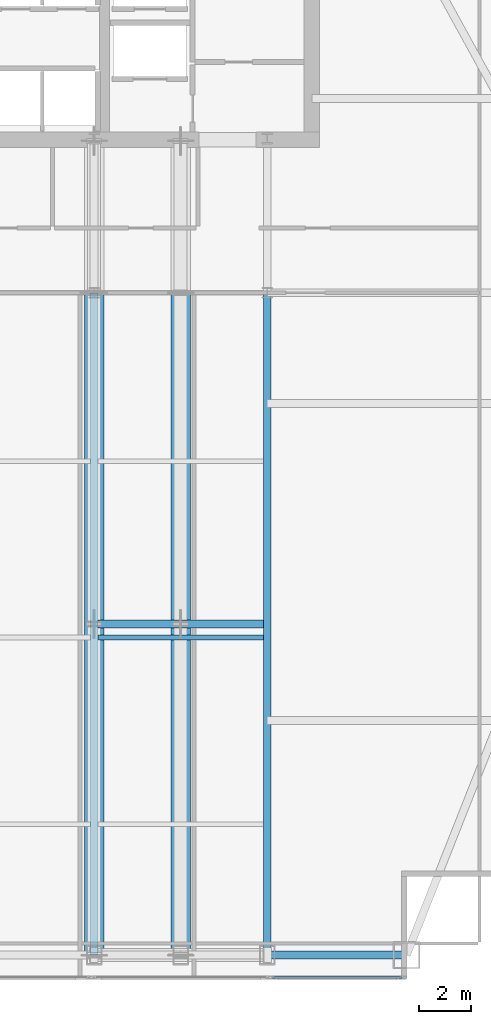
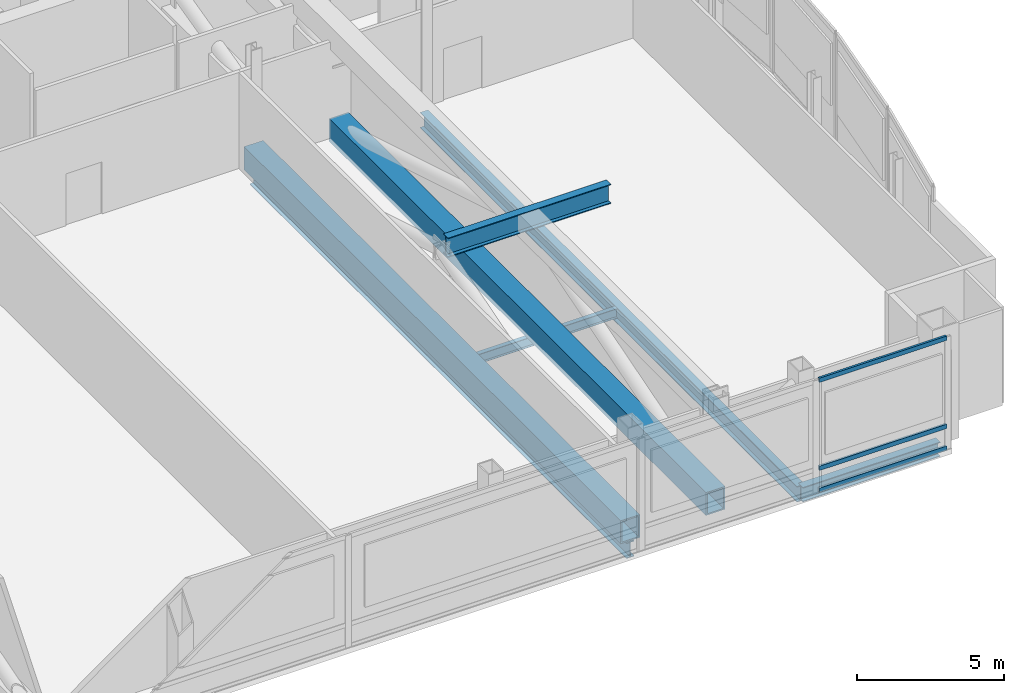
# One storey, part 17 of 32: 5 beams, 5 members, 1 element without a shape of its own.
"""IFC4 building model written with IfcOpenShell, lengths in metres."""

from ifc_helpers import new_model, si_unit, direction, frame, origin, origin_2d, place, context, subcontext, project, spatial, hollow_rectangle, i_section, extrude, material, material_profile, profile_set, type_object, element, aggregate, save


model = new_model("IFC4")

# Units and contexts
model_context = context("Model", 3, precision=1e-05, world=origin(), true_north=direction((0.0, 1.0)))
body_context = subcontext(model_context, "Body", "Model", "MODEL_VIEW")
ifc_project = project(units=[si_unit("LENGTHUNIT", "METRE"), si_unit("AREAUNIT", "SQUARE_METRE"), si_unit("VOLUMEUNIT", "CUBIC_METRE"), si_unit("PLANEANGLEUNIT", "RADIAN"), si_unit("MASSUNIT", "GRAM", prefix="KILO")], contexts=[model_context])

# Site, building, storey
site_placement = place(None, origin())
site = spatial("IfcSite", under=ifc_project, at=site_placement, CompositionType="ELEMENT")
building_placement = place(site_placement, origin())
building = spatial("IfcBuilding", under=site, at=building_placement, Name="Khoronbel Lancet Exchange", CompositionType="ELEMENT")
storey_placement = place(building_placement, frame((0.0, 0.0, 257.0)))
storey = spatial("IfcBuildingStorey", under=building, at=storey_placement, Name="L66", CompositionType="ELEMENT", Elevation=257.0)

# Beams
ifc_material_1 = material(Name="Steel S355", Category="steel")
ifc_material_profile_1 = material_profile(ifc_material_1, i_section(OverallWidth=0.300048828125, OverallDepth=0.800048828125, WebThickness=0.017578125, FlangeThickness=0.032958984375, at=origin_2d()), Name="HEB 800")
ifc_profile_set_1 = profile_set([ifc_material_profile_1], Name="Steel S355")
beam_type_1 = type_object("IfcBeamType", Name="BM-BG2", PredefinedType="BEAM", material=ifc_profile_set_1)
beam_1_placement = place(storey_placement, frame((48.14990234375, 22.925048828125, 4.239990234375), z_axis=(1.0, 0.0, 0.0), x_axis=(0.0, 1.0, 0.0)))
element("IfcBeam", 1, at=beam_1_placement, inside=storey, type_object=beam_type_1, Name="Outrigger apex collector beam L66-E", PredefinedType="BEAM", context=body_context, shape_type="SweptSolid", body=[
    extrude(i_section(OverallWidth=0.300048828125, OverallDepth=0.800048828125, WebThickness=0.017578125, FlangeThickness=0.032958984375, at=origin_2d()), origin(), (0.0, 0.0, 1.0), 6.375),
])
ifc_material_profile_2 = material_profile(ifc_material_1, i_section(OverallWidth=0.300048828125, OverallDepth=0.64990234375, WebThickness=0.01611328125, FlangeThickness=0.031005859375, at=origin_2d()), Name="HEB 650")
ifc_profile_set_2 = profile_set([ifc_material_profile_2], Name="Steel S355")
beam_type_2 = type_object("IfcBeamType", Name="BM-BG4", PredefinedType="BEAM", material=ifc_profile_set_2)
for number, where, z_axis, x_axis, name in (
    (2, (48.0, 10.14990234375, -0.544921875), (0.0, 1.0, 0.0), (-1.0, 0.0, 0.0), "Level L66 south primary girder GS5"),
    (3, (54.675048828125, 10.14990234375, -0.544921875), (0.0, 1.0, 0.0), (-1.0, 0.0, 0.0), "Level L66 south primary girder GS6"),
):
    element("IfcBeam", number, at=place(storey_placement, frame(where, z_axis=z_axis, x_axis=x_axis)), inside=storey, type_object=beam_type_2, Name=name, PredefinedType="BEAM", context=body_context, shape_type="SweptSolid", body=[
        extrude(i_section(OverallWidth=0.300048828125, OverallDepth=0.64990234375, WebThickness=0.01611328125, FlangeThickness=0.031005859375, at=origin_2d()), origin(), (0.0, 0.0, 1.0), 25.550048828125),
    ])
ifc_material_profile_3 = material_profile(ifc_material_1, i_section(OverallWidth=0.179931640625, OverallDepth=0.39990234375, WebThickness=0.008544921875, FlangeThickness=0.013427734375, at=origin_2d()), Name="IPE 400")
ifc_profile_set_3 = profile_set([ifc_material_profile_3], Name="Steel S355")
beam_type_3 = type_object("IfcBeamType", Name="BM-BJ5", PredefinedType="JOIST", material=ifc_profile_set_3)
beam_2_placement = place(storey_placement, frame((48.14990234375, 22.39990234375, -0.419921875), z_axis=(1.0, 0.0, 0.0), x_axis=(0.0, 1.0, 0.0)))
element("IfcBeam", 4, at=beam_2_placement, inside=storey, type_object=beam_type_3, Name="Level L66 secondary composite joist J10", PredefinedType="JOIST", context=body_context, shape_type="SweptSolid", body=[
    extrude(i_section(OverallWidth=0.179931640625, OverallDepth=0.39990234375, WebThickness=0.008544921875, FlangeThickness=0.013427734375, at=origin_2d()), origin(), (0.0, 0.0, 1.0), 6.375),
])
ifc_material_profile_4 = material_profile(ifc_material_1, i_section(OverallWidth=0.300048828125, OverallDepth=0.60009765625, WebThickness=0.015380859375, FlangeThickness=0.030029296875, at=origin_2d()), Name="HEB 600")
ifc_profile_set_4 = profile_set([ifc_material_profile_4], Name="Steel S355")
beam_type_4 = type_object("IfcBeamType", Name="BM-BSP2", PredefinedType="SPANDREL", material=ifc_profile_set_4)
beam_3_placement = place(storey_placement, frame((54.675048828125, 10.14990234375, -0.52001953125), z_axis=(1.0, 0.0, 0.0), x_axis=(0.0, 1.0, 0.0)))
element("IfcBeam", 5, at=beam_3_placement, inside=storey, type_object=beam_type_4, Name="Level L66 perimeter spandrel beam SP09", PredefinedType="SPANDREL", context=body_context, shape_type="SweptSolid", body=[
    extrude(i_section(OverallWidth=0.300048828125, OverallDepth=0.60009765625, WebThickness=0.015380859375, FlangeThickness=0.030029296875, at=origin_2d()), origin(), (0.0, 0.0, 1.0), 5.375),
])

# Curtain wall, members
ifc_material_2 = material(Name="Low-E Solar Control Insulating Glass", Category="glass")
curtain_wall_type = type_object("IfcCurtainWallType", Name="CW-3", PredefinedType="NOTDEFINED", material=ifc_material_2)
curtain_wall_placement = place(storey_placement, origin())
curtain_wall = element("IfcCurtainWall", 6, at=curtain_wall_placement, inside=storey, type_object=curtain_wall_type, Name="Unitised curtain wall CW-L66-SEV", PredefinedType="NOTDEFINED")
ifc_material_3 = material(Name="Bronze-Anodised Aluminium 6063-T6", Category="aluminium")
ifc_material_profile_5 = material_profile(ifc_material_3, hollow_rectangle(XDim=0.0849609375, YDim=0.179931640625, WallThickness=0.0048828125, at=origin_2d()), Name="ALU TRANSOM 85x180")
ifc_profile_set_5 = profile_set([ifc_material_profile_5], Name="Bronze-Anodised Aluminium 6063-T6")
member_type_1 = type_object("IfcMemberType", Name="MEM-CWT1", PredefinedType="USERDEFINED", material=ifc_profile_set_5)
member_1_placement = place(storey_placement, frame((54.885009765625, 9.2900390625, 0.04248046875), z_axis=(1.0, 0.0, 0.0), x_axis=(0.0, 1.0, 0.0)))
member_1 = element("IfcMember", 7, at=member_1_placement, type_object=member_type_1, Name="CW3 transom 1.1", ObjectType="TRANSOM", PredefinedType="USERDEFINED", context=body_context, shape_type="SweptSolid", body=[
    extrude(hollow_rectangle(XDim=0.0849609375, YDim=0.179931640625, WallThickness=0.0048828125, at=origin_2d()), origin(), (0.0, 0.0, 1.0), 4.989990234375),
])
member_2_placement = place(storey_placement, frame((54.885009765625, 9.2900390625, 0.949951171875), z_axis=(1.0, 0.0, 0.0), x_axis=(0.0, 1.0, 0.0)))
member_2 = element("IfcMember", 8, at=member_2_placement, type_object=member_type_1, Name="CW3 transom 1.2", ObjectType="TRANSOM", PredefinedType="USERDEFINED", context=body_context, shape_type="SweptSolid", body=[
    extrude(hollow_rectangle(XDim=0.0849609375, YDim=0.179931640625, WallThickness=0.0048828125, at=origin_2d()), origin(), (0.0, 0.0, 1.0), 4.989990234375),
])
member_3_placement = place(storey_placement, frame((54.885009765625, 9.2900390625, 4.597412109375), z_axis=(1.0, 0.0, 0.0), x_axis=(0.0, 1.0, 0.0)))
member_3 = element("IfcMember", 9, at=member_3_placement, type_object=member_type_1, Name="CW3 transom 1.3", ObjectType="TRANSOM", PredefinedType="USERDEFINED", context=body_context, shape_type="SweptSolid", body=[
    extrude(hollow_rectangle(XDim=0.0849609375, YDim=0.179931640625, WallThickness=0.0048828125, at=origin_2d()), origin(), (0.0, 0.0, 1.0), 4.989990234375),
])
aggregate(curtain_wall, [member_1, member_2, member_3])

# Members
ifc_material_4 = material(Name="Steel S460", Category="steel")
ifc_material_profile_6 = material_profile(ifc_material_4, hollow_rectangle(XDim=0.75, YDim=0.949951171875, WallThickness=0.054931640625, at=origin_2d()), Name="BOX 950x750x55")
ifc_profile_set_6 = profile_set([ifc_material_profile_6], Name="Steel S460")
member_type_2 = type_object("IfcMemberType", Name="MEM-OCH2", PredefinedType="CHORD", material=ifc_profile_set_6)
for number, where, z_axis, x_axis, name in (
    (10, (48.0, 10.14990234375, 0.300048828125), (0.0, 1.0, 0.0), (-1.0, 0.0, 0.0), "Outrigger truss bottom chord L66-3-BOT"),
    (11, (51.33740234375, 10.14990234375, 0.300048828125), (0.0, 1.0, 0.0), (-1.0, 0.0, 0.0), "Outrigger truss bottom chord L66-4-BOT"),
):
    element("IfcMember", number, at=place(storey_placement, frame(where, z_axis=z_axis, x_axis=x_axis)), inside=storey, type_object=member_type_2, Name=name, PredefinedType="CHORD", context=body_context, shape_type="SweptSolid", body=[
        extrude(hollow_rectangle(XDim=0.75, YDim=0.949951171875, WallThickness=0.054931640625, at=origin_2d()), origin(), (0.0, 0.0, 1.0), 25.550048828125),
    ])

save(model, "model.ifc")
